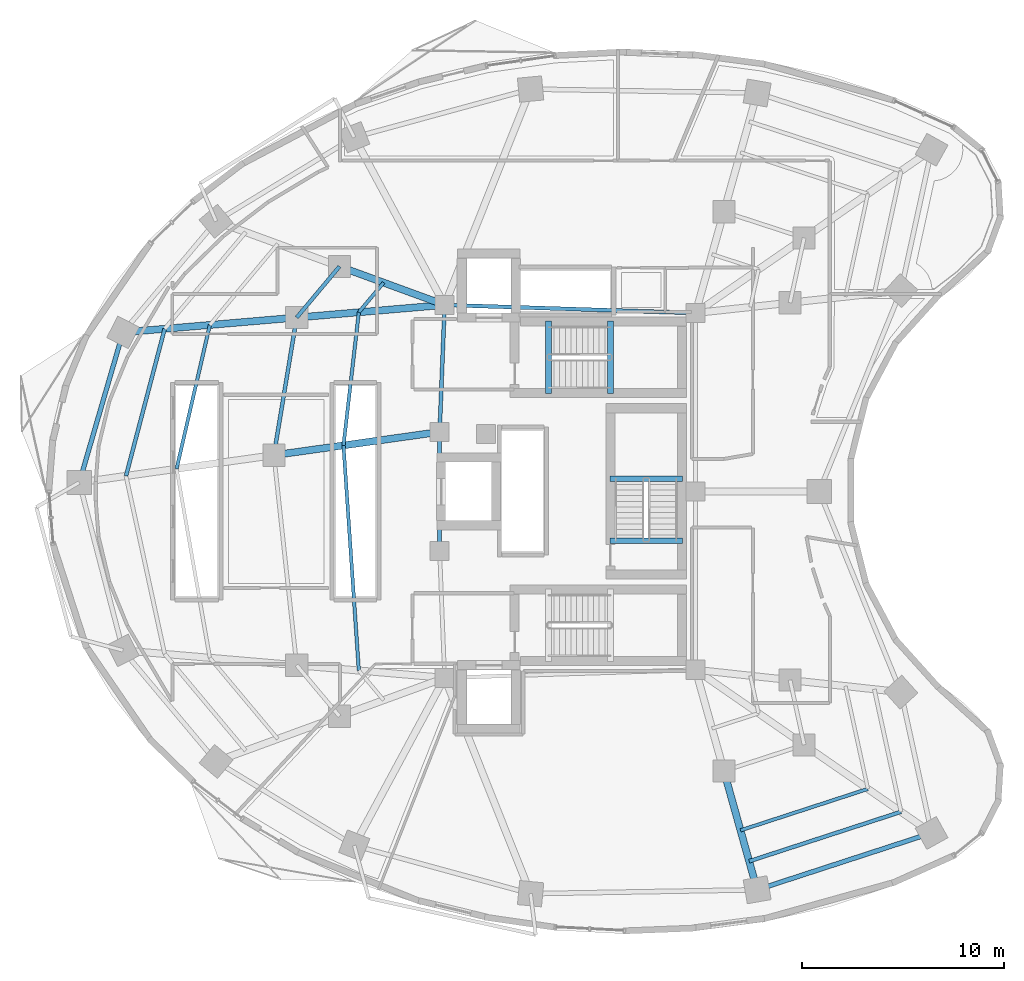
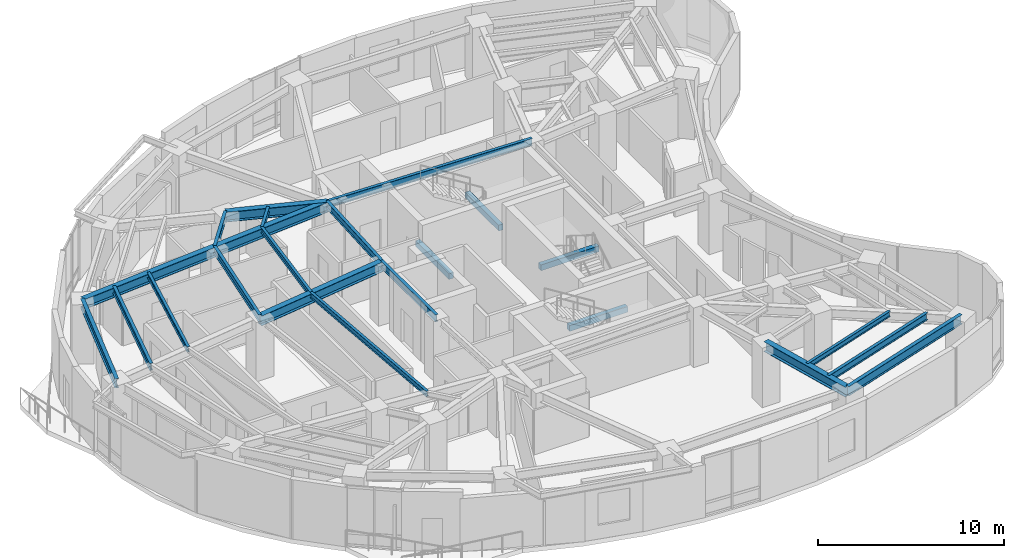
# One storey, part 3 of 14: 23 beams.
"""IFC4 building model written with IfcOpenShell, lengths in metres."""

from ifc_helpers import new_model, si_unit, direction, frame, origin, origin_2d, place, context, subcontext, project, spatial, rectangle, i_section, extrude, material, material_profile, profile_set, type_object, element, save


model = new_model("IFC4")

# Units and contexts
model_context = context("Model", 3, precision=1e-05, world=origin(), true_north=direction((0.0, 1.0)))
body_context = subcontext(model_context, "Body", "Model", "MODEL_VIEW")
ifc_project = project(units=[si_unit("LENGTHUNIT", "METRE"), si_unit("AREAUNIT", "SQUARE_METRE"), si_unit("VOLUMEUNIT", "CUBIC_METRE"), si_unit("PLANEANGLEUNIT", "RADIAN"), si_unit("MASSUNIT", "GRAM", prefix="KILO")], contexts=[model_context])

# Site, building, storey
site_placement = place(None, origin())
site = spatial("IfcSite", under=ifc_project, at=site_placement, CompositionType="ELEMENT")
building_placement = place(site_placement, origin())
building = spatial("IfcBuilding", under=site, at=building_placement, Name="Korentha Bioscience Tower", CompositionType="ELEMENT")
storey_placement = place(building_placement, frame((0.0, 0.0, 102.60009765625)))
storey = spatial("IfcBuildingStorey", under=building, at=storey_placement, Name="L23", CompositionType="ELEMENT", Elevation=102.60009765625)

# Beams
ifc_material_1 = material(Name="Concrete C50", Category="concrete")
ifc_material_profile_1 = material_profile(ifc_material_1, rectangle(XDim=0.280029296875, YDim=0.3798828125, at=origin_2d()), Name="Concrete C50")
ifc_profile_set_1 = profile_set([ifc_material_profile_1], Name="Concrete C50 (ST-HB380)")
beam_type_1 = type_object("IfcBeamType", Name="Concrete Stair Header Beam RC 280x380", PredefinedType="BEAM", material=ifc_profile_set_1)
for number, where, z_axis, x_axis, name in (
    (1, (30.25, 31.85009765625, -0.190185546875), (0.0, 1.0, 0.0), (-1.0, 0.0, 0.0), "L23 ST-1 Concrete Stair Header Beam"),
    (2, (33.330078125, 31.85009765625, 1.909912109375), (0.0, 1.0, 0.0), (-1.0, 0.0, 0.0), "L23 ST-1 Half-Landing Header Beam 1"),
    (3, (36.89990234375, 24.550048828125, -0.190185546875), (-1.0, 0.0, 0.0), (0.0, -1.0, 0.0), "L23 ST-3 Concrete Stair Header Beam"),
    (4, (36.89990234375, 27.6298828125, 1.909912109375), (-1.0, 0.0, 0.0), (0.0, -1.0, 0.0), "L23 ST-3 Half-Landing Header Beam 1"),
):
    element("IfcBeam", number, at=place(storey_placement, frame(where, z_axis=z_axis, x_axis=x_axis)), inside=storey, type_object=beam_type_1, Name=name, PredefinedType="BEAM", context=body_context, shape_type="SweptSolid", body=[
        extrude(rectangle(XDim=0.280029296875, YDim=0.3798828125, at=origin_2d()), origin(), (0.0, 0.0, 1.0), 3.599853515625),
    ])
ifc_material_2 = material(Name="Steel S355", Category="steel")
ifc_material_profile_2 = material_profile(ifc_material_2, i_section(OverallWidth=0.18994140625, OverallDepth=0.45703125, WebThickness=0.009033203125, FlangeThickness=0.014404296875, at=origin_2d()), Name="Steel S355")
ifc_profile_set_2 = profile_set([ifc_material_profile_2], Name="Steel S355 (MB-460)")
beam_type_2 = type_object("IfcBeamType", Name="Mid-Ring Tie Girder W460x74", PredefinedType="BEAM", material=ifc_profile_set_2)
beam_1_placement = place(storey_placement, frame((19.882568359375, 38.158935546875, 3.67138671875), z_axis=(-0.642121371708, -0.766602989817, 0.0), x_axis=(0.766602989817, -0.642121371708, 0.0)))
element("IfcBeam", 5, at=beam_1_placement, inside=storey, type_object=beam_type_2, Name="L23 Mid-Ring Tie Girder 05", PredefinedType="BEAM", context=body_context, shape_type="SweptSolid", body=[
    extrude(i_section(OverallWidth=0.18994140625, OverallDepth=0.45703125, WebThickness=0.009033203125, FlangeThickness=0.014404296875, at=origin_2d()), origin(), (0.0, 0.0, 1.0), 3.306640625),
])
beam_2_placement = place(storey_placement, frame((17.75927734375, 35.6240234375, 3.67138671875), z_axis=(-0.163580878592, -0.986529926641, 0.0), x_axis=(0.986529926641, -0.163580878592, 0.0)))
element("IfcBeam", 6, at=beam_2_placement, inside=storey, type_object=beam_type_2, Name="L23 Mid-Ring Tie Girder 06", PredefinedType="BEAM", context=body_context, shape_type="SweptSolid", body=[
    extrude(i_section(OverallWidth=0.18994140625, OverallDepth=0.45703125, WebThickness=0.009033203125, FlangeThickness=0.014404296875, at=origin_2d()), origin(), (0.0, 0.0, 1.0), 6.920654296875),
])
beam_3_placement = place(storey_placement, frame((37.550048828125, 35.85009765625, 3.67138671875), z_axis=(-0.999484526071, 0.032104238723, 0.0), x_axis=(-0.032104238723, -0.999484526071, 0.0)))
element("IfcBeam", 7, at=beam_3_placement, inside=storey, type_object=beam_type_2, Name="L23 Core Ring Tie Girder 01", PredefinedType="BEAM", context=body_context, shape_type="SweptSolid", body=[
    extrude(i_section(OverallWidth=0.18994140625, OverallDepth=0.45703125, WebThickness=0.009033203125, FlangeThickness=0.014404296875, at=origin_2d()), origin(), (0.0, 0.0, 1.0), 12.456298828125),
])
beam_4_placement = place(storey_placement, frame((25.10009765625, 36.25, 3.67138671875), z_axis=(-0.039651025576, -0.999213588864, 0.0), x_axis=(0.999213588864, -0.039651025576, 0.0)))
element("IfcBeam", 8, at=beam_4_placement, inside=storey, type_object=beam_type_2, Name="L23 Core Ring Tie Girder 02", PredefinedType="BEAM", context=body_context, shape_type="SweptSolid", body=[
    extrude(i_section(OverallWidth=0.18994140625, OverallDepth=0.45703125, WebThickness=0.009033203125, FlangeThickness=0.014404296875, at=origin_2d()), origin(), (0.0, 0.0, 1.0), 6.304931640625),
])
beam_5_placement = place(storey_placement, frame((24.85009765625, 29.949951171875, 3.67138671875), z_axis=(0.0, -1.0, 0.0), x_axis=(1.0, 0.0, 0.0)))
element("IfcBeam", 9, at=beam_5_placement, inside=storey, type_object=beam_type_2, Name="L23 Core Ring Tie Girder 03", PredefinedType="BEAM", context=body_context, shape_type="SweptSolid", body=[
    extrude(i_section(OverallWidth=0.18994140625, OverallDepth=0.45703125, WebThickness=0.009033203125, FlangeThickness=0.014404296875, at=origin_2d()), origin(), (0.0, 0.0, 1.0), 5.89990234375),
])
ifc_material_profile_3 = material_profile(ifc_material_2, i_section(OverallWidth=0.22802734375, OverallDepth=0.60791015625, WebThickness=0.01123046875, FlangeThickness=0.017333984375, at=origin_2d()), Name="Steel S355")
ifc_profile_set_3 = profile_set([ifc_material_profile_3], Name="Steel S355 (SB-610)")
beam_type_3 = type_object("IfcBeamType", Name="Perimeter Ring Spandrel Girder W610x113", PredefinedType="SPANDREL", material=ifc_profile_set_3)
beam_6_placement = place(storey_placement, frame((9.141845703125, 34.889404296875, 3.595947265625), z_axis=(-0.279486251653, -0.960149694129, 0.0), x_axis=(0.960149694129, -0.279486251653, 0.0)))
element("IfcBeam", 10, at=beam_6_placement, inside=storey, type_object=beam_type_3, Name="L23 Perimeter Spandrel Girder 06", PredefinedType="SPANDREL", context=body_context, shape_type="SweptSolid", body=[
    extrude(i_section(OverallWidth=0.22802734375, OverallDepth=0.60791015625, WebThickness=0.01123046875, FlangeThickness=0.017333984375, at=origin_2d()), origin(), (0.0, 0.0, 1.0), 7.756103515625),
])
beam_7_placement = place(storey_placement, frame((40.604248046875, 7.235107421875, 3.595947265625), z_axis=(0.950867758759, 0.309597327755, 0.0), x_axis=(-0.309597327755, 0.950867758759, 0.0)))
element("IfcBeam", 11, at=beam_7_placement, inside=storey, type_object=beam_type_3, Name="L23 Perimeter Spandrel Girder 12", PredefinedType="SPANDREL", context=body_context, shape_type="SweptSolid", body=[
    extrude(i_section(OverallWidth=0.22802734375, OverallDepth=0.60791015625, WebThickness=0.01123046875, FlangeThickness=0.017333984375, at=origin_2d()), origin(), (0.0, 0.0, 1.0), 9.101806640625),
])
ifc_material_profile_4 = material_profile(ifc_material_2, i_section(OverallWidth=0.18994140625, OverallDepth=0.45703125, WebThickness=0.009033203125, FlangeThickness=0.014404296875, at=origin_2d()), Name="Steel S355")
ifc_profile_set_4 = profile_set([ifc_material_profile_4], Name="Steel S355 (RB-460)")
beam_type_4 = type_object("IfcBeamType", Name="Radial Laboratory Beam W460x74", PredefinedType="BEAM", material=ifc_profile_set_4)
beam_8_placement = place(storey_placement, frame((11.2099609375, 35.065673828125, 3.67138671875), z_axis=(-0.254294231014, -0.967126901742, 0.0), x_axis=(0.967126901742, -0.254294231014, 0.0)))
element("IfcBeam", 12, at=beam_8_placement, inside=storey, type_object=beam_type_4, Name="L23 Secondary Floor Beam JSTO-06", PredefinedType="BEAM", context=body_context, shape_type="SweptSolid", body=[
    extrude(i_section(OverallWidth=0.18994140625, OverallDepth=0.45703125, WebThickness=0.009033203125, FlangeThickness=0.014404296875, at=origin_2d()), origin(), (0.0, 0.0, 1.0), 7.546142578125),
])
beam_9_placement = place(storey_placement, frame((40.20849609375, 8.64990234375, 3.67138671875), z_axis=(0.950866789802, 0.3096003037, 0.0), x_axis=(-0.3096003037, 0.950866789802, 0.0)))
element("IfcBeam", 13, at=beam_9_placement, inside=storey, type_object=beam_type_4, Name="L23 Secondary Floor Beam JSTO-12", PredefinedType="BEAM", context=body_context, shape_type="SweptSolid", body=[
    extrude(i_section(OverallWidth=0.18994140625, OverallDepth=0.45703125, WebThickness=0.009033203125, FlangeThickness=0.014404296875, at=origin_2d()), origin(), (0.0, 0.0, 1.0), 7.921875),
])
ifc_material_profile_5 = material_profile(ifc_material_2, i_section(OverallWidth=0.35009765625, OverallDepth=0.64990234375, WebThickness=0.01611328125, FlangeThickness=0.02490234375, at=origin_2d()), Name="Steel S355")
ifc_profile_set_5 = profile_set([ifc_material_profile_5], Name="Steel S355 (RB-650)")
beam_type_5 = type_object("IfcBeamType", Name="Radial Laboratory Girder CVS 650x208", PredefinedType="BEAM", material=ifc_profile_set_5)
beam_10_placement = place(storey_placement, frame((25.10009765625, 36.25, 3.574951171875), z_axis=(-0.939118010396, 0.343594765022, 0.0), x_axis=(-0.343594765022, -0.939118010396, 0.0)))
element("IfcBeam", 14, at=beam_10_placement, inside=storey, type_object=beam_type_5, Name="L23 Inner Radial Girder 05", PredefinedType="BEAM", context=body_context, shape_type="SweptSolid", body=[
    extrude(i_section(OverallWidth=0.35009765625, OverallDepth=0.64990234375, WebThickness=0.01611328125, FlangeThickness=0.02490234375, at=origin_2d()), origin(), (0.0, 0.0, 1.0), 5.5556640625),
])
beam_11_placement = place(storey_placement, frame((25.10009765625, 36.25, 3.574951171875), z_axis=(-0.996383934197, -0.084965026183, 0.0), x_axis=(0.084965026183, -0.996383934197, 0.0)))
element("IfcBeam", 15, at=beam_11_placement, inside=storey, type_object=beam_type_5, Name="L23 Inner Radial Girder 06", PredefinedType="BEAM", context=body_context, shape_type="SweptSolid", body=[
    extrude(i_section(OverallWidth=0.35009765625, OverallDepth=0.64990234375, WebThickness=0.01611328125, FlangeThickness=0.02490234375, at=origin_2d()), origin(), (0.0, 0.0, 1.0), 7.367431640625),
])
beam_12_placement = place(storey_placement, frame((17.75927734375, 35.6240234375, 3.574951171875), z_axis=(-0.996386071548, -0.084939957767, 0.0), x_axis=(0.084939957767, -0.996386071548, 0.0)))
element("IfcBeam", 16, at=beam_12_placement, inside=storey, type_object=beam_type_5, Name="L23 Outer Radial Girder 06", PredefinedType="BEAM", context=body_context, shape_type="SweptSolid", body=[
    extrude(i_section(OverallWidth=0.35009765625, OverallDepth=0.64990234375, WebThickness=0.01611328125, FlangeThickness=0.02490234375, at=origin_2d()), origin(), (0.0, 0.0, 1.0), 8.648681640625),
])
beam_13_placement = place(storey_placement, frame((24.85009765625, 29.949951171875, 3.574951171875), z_axis=(-0.990306752817, -0.13889757134, 0.0), x_axis=(0.13889757134, -0.990306752817, 0.0)))
element("IfcBeam", 17, at=beam_13_placement, inside=storey, type_object=beam_type_5, Name="L23 Inner Radial Girder 07", PredefinedType="BEAM", context=body_context, shape_type="SweptSolid", body=[
    extrude(i_section(OverallWidth=0.35009765625, OverallDepth=0.64990234375, WebThickness=0.01611328125, FlangeThickness=0.02490234375, at=origin_2d()), origin(), (0.0, 0.0, 1.0), 8.303466796875),
])
beam_14_placement = place(storey_placement, frame((38.954833984375, 13.129150390625, 3.574951171875), z_axis=(0.269490843458, -0.963002951861, 0.0), x_axis=(0.963002951861, 0.269490843458, 0.0)))
element("IfcBeam", 18, at=beam_14_placement, inside=storey, type_object=beam_type_5, Name="L23 Outer Radial Girder 12", PredefinedType="BEAM", context=body_context, shape_type="SweptSolid", body=[
    extrude(i_section(OverallWidth=0.35009765625, OverallDepth=0.64990234375, WebThickness=0.01611328125, FlangeThickness=0.02490234375, at=origin_2d()), origin(), (0.0, 0.0, 1.0), 6.120361328125),
])
ifc_material_profile_6 = material_profile(ifc_material_2, i_section(OverallWidth=0.1708984375, OverallDepth=0.35498046875, WebThickness=0.007080078125, FlangeThickness=0.01171875, at=origin_2d()), Name="Steel S355")
ifc_profile_set_6 = profile_set([ifc_material_profile_6], Name="Steel S355 (JB-360)")
beam_type_6 = type_object("IfcBeamType", Name="Secondary Laboratory Joist W360x51", PredefinedType="JOIST", material=ifc_profile_set_6)
beam_15_placement = place(storey_placement, frame((22.073974609375, 37.357177734375, 3.722412109375), z_axis=(-0.64218549873, -0.766549271229, 0.0), x_axis=(0.766549271229, -0.64218549873, 0.0)))
element("IfcBeam", 19, at=beam_15_placement, inside=storey, type_object=beam_type_6, Name="L23 Inner Bay Joist 05", PredefinedType="JOIST", context=body_context, shape_type="SweptSolid", body=[
    extrude(i_section(OverallWidth=0.1708984375, OverallDepth=0.35498046875, WebThickness=0.007080078125, FlangeThickness=0.01171875, at=origin_2d()), origin(), (0.0, 0.0, 1.0), 1.91796875),
])
beam_16_placement = place(storey_placement, frame((13.450439453125, 35.256591796875, 3.722412109375), z_axis=(-0.225236780605, -0.974304055551, 0.0), x_axis=(0.974304055551, -0.225236780605, 0.0)))
element("IfcBeam", 20, at=beam_16_placement, inside=storey, type_object=beam_type_6, Name="L23 Secondary Floor Beam JST-06", PredefinedType="JOIST", context=body_context, shape_type="SweptSolid", body=[
    extrude(i_section(OverallWidth=0.1708984375, OverallDepth=0.35498046875, WebThickness=0.007080078125, FlangeThickness=0.01171875, at=origin_2d()), origin(), (0.0, 0.0, 1.0), 7.3251953125),
])
beam_17_placement = place(storey_placement, frame((20.84228515625, 35.886962890625, 3.722412109375), z_axis=(-0.114512623722, -0.993421793101, 0.0), x_axis=(0.993421793101, -0.114512623722, 0.0)))
element("IfcBeam", 21, at=beam_17_placement, inside=storey, type_object=beam_type_6, Name="L23 Inner Bay Joist 06", PredefinedType="JOIST", context=body_context, shape_type="SweptSolid", body=[
    extrude(i_section(OverallWidth=0.1708984375, OverallDepth=0.35498046875, WebThickness=0.007080078125, FlangeThickness=0.01171875, at=origin_2d()), origin(), (0.0, 0.0, 1.0), 6.649658203125),
])
beam_18_placement = place(storey_placement, frame((20.080810546875, 29.281005859375, 3.722412109375), z_axis=(0.068025861704, -0.997683558118, 0.0), x_axis=(0.997683558118, 0.068025861704, 0.0)))
element("IfcBeam", 22, at=beam_18_placement, inside=storey, type_object=beam_type_6, Name="L23 Inner Bay Joist 07", PredefinedType="JOIST", context=body_context, shape_type="SweptSolid", body=[
    extrude(i_section(OverallWidth=0.1708984375, OverallDepth=0.35498046875, WebThickness=0.007080078125, FlangeThickness=0.01171875, at=origin_2d()), origin(), (0.0, 0.0, 1.0), 11.19384765625),
])
beam_19_placement = place(storey_placement, frame((39.779541015625, 10.18212890625, 3.722412109375), z_axis=(0.950864890997, 0.309606135387, 0.0), x_axis=(-0.309606135387, 0.950864890997, 0.0)))
element("IfcBeam", 23, at=beam_19_placement, inside=storey, type_object=beam_type_6, Name="L23 Secondary Floor Beam JST-12", PredefinedType="JOIST", context=body_context, shape_type="SweptSolid", body=[
    extrude(i_section(OverallWidth=0.1708984375, OverallDepth=0.35498046875, WebThickness=0.007080078125, FlangeThickness=0.01171875, at=origin_2d()), origin(), (0.0, 0.0, 1.0), 6.644287109375),
])

save(model, "model.ifc")
